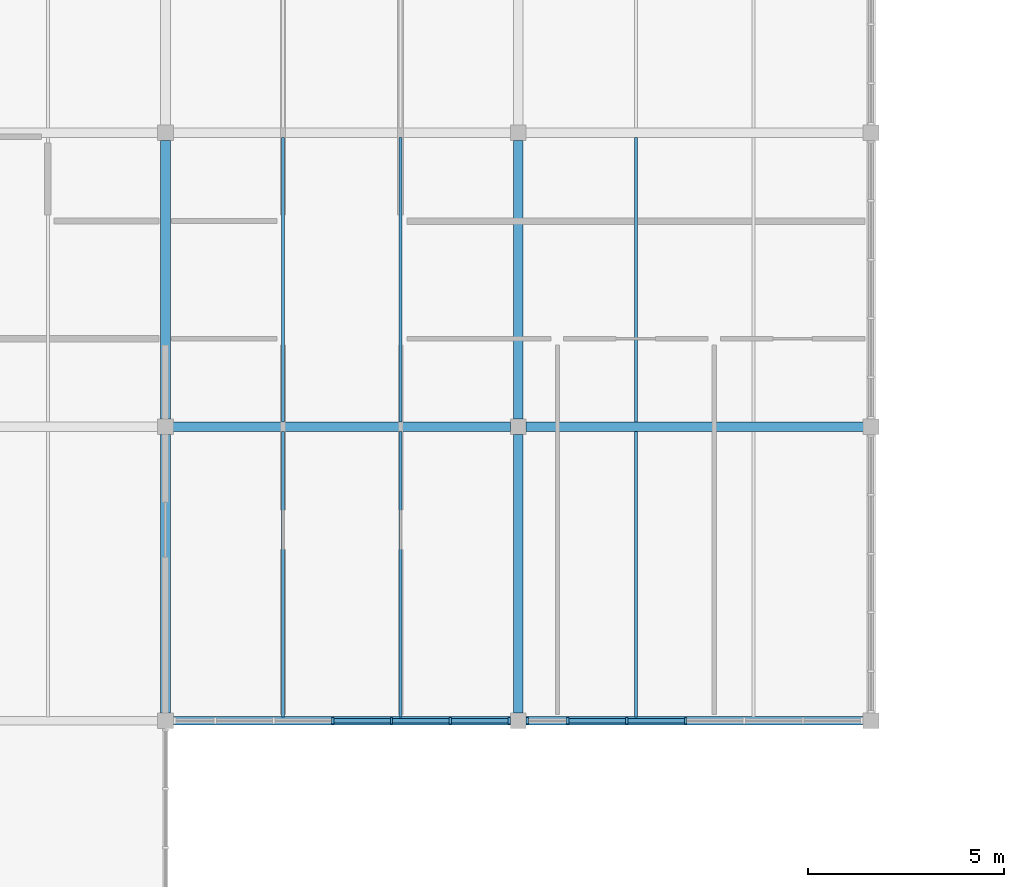
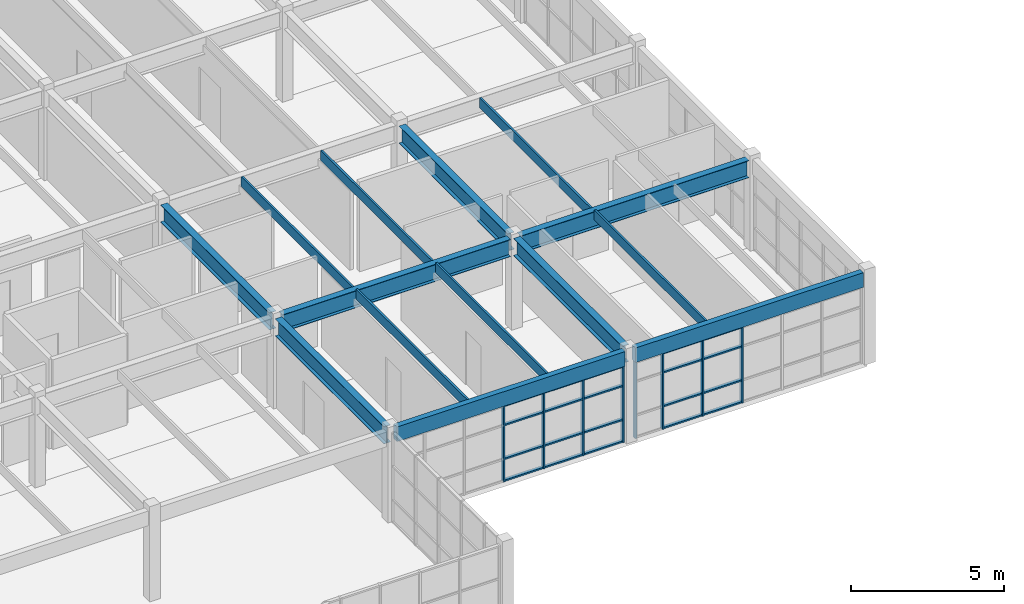
# One storey, part 26 of 81: 28 members, 14 beams, 2 elements without a shape of their own.
"""IFC4 building model written with IfcOpenShell, lengths in metres."""

from ifc_helpers import new_model, si_unit, direction, frame, origin, origin_2d, place, context, subcontext, project, spatial, rectangle, i_section, extrude, material, layer, layer_set, material_profile, profile_set, type_object, element, aggregate, save


model = new_model("IFC4")

# Units and contexts
model_context = context("Model", 3, precision=1e-05, world=origin(), true_north=direction((0.0, 1.0)))
body_context = subcontext(model_context, "Body", "Model", "MODEL_VIEW")
ifc_project = project(units=[si_unit("LENGTHUNIT", "METRE"), si_unit("AREAUNIT", "SQUARE_METRE"), si_unit("VOLUMEUNIT", "CUBIC_METRE"), si_unit("PLANEANGLEUNIT", "RADIAN"), si_unit("MASSUNIT", "GRAM", prefix="KILO")], contexts=[model_context])

# Site, building, storey
site_placement = place(None, origin())
site = spatial("IfcSite", under=ifc_project, at=site_placement, CompositionType="ELEMENT")
building_placement = place(site_placement, origin())
building = spatial("IfcBuilding", under=site, at=building_placement, Name="Marnridge Secondary College", CompositionType="ELEMENT")
storey_placement = place(building_placement, frame((0.0, 0.0, 8.5)))
storey = spatial("IfcBuildingStorey", under=building, at=storey_placement, Name="L02", CompositionType="ELEMENT", Elevation=8.5)

# Beams
ifc_material_1 = material(Name="Glulam timber GL18", Category="wood")
ifc_material_profile_1 = material_profile(ifc_material_1, rectangle(XDim=0.215087890625, YDim=0.5849609375, at=origin_2d()), Name="GL18 215x585")
ifc_profile_set_1 = profile_set([ifc_material_profile_1], Name="Glulam timber GL18")
beam_type_1 = type_object("IfcBeamType", Name="BM-GL585-EXT", PredefinedType="SPANDREL", material=ifc_profile_set_1)
for number, where, z_axis, x_axis, name in (
    (1, (18.194091796875, 82.5, 3.347412109375), (1.0, 0.0, 0.0), (0.0, 1.0, 0.0), "Beam BS-L02-0902"),
    (2, (27.194091796875, 82.5, 3.347412109375), (1.0, 0.0, 0.0), (0.0, 1.0, 0.0), "Beam BS-L02-0904"),
):
    element("IfcBeam", number, at=place(storey_placement, frame(where, z_axis=z_axis, x_axis=x_axis)), inside=storey, type_object=beam_type_1, Name=name, PredefinedType="SPANDREL", context=body_context, shape_type="SweptSolid", body=[
        extrude(rectangle(XDim=0.215087890625, YDim=0.5849609375, at=origin_2d()), origin(), (0.0, 0.0, 1.0), 8.61181640625),
    ])
ifc_material_2 = material(Name="Engineered timber LVL E13.2", Category="wood")
ifc_material_profile_2 = material_profile(ifc_material_2, rectangle(XDim=0.074951171875, YDim=0.39990234375, at=origin_2d()), Name="LVL 75x400")
ifc_profile_set_2 = profile_set([ifc_material_profile_2], Name="Engineered timber LVL E13.2")
beam_type_2 = type_object("IfcBeamType", Name="BM-LVL400-INT", PredefinedType="JOIST", material=ifc_profile_set_2)
for number, where, z_axis, x_axis, name in (
    (3, (21.0, 90.118896484375, 3.3798828125), (0.0, 1.0, 0.0), (-1.0, 0.0, 0.0), "Beam BJ-L02-0919"),
    (4, (24.0, 90.118896484375, 3.3798828125), (0.0, 1.0, 0.0), (-1.0, 0.0, 0.0), "Beam BJ-L02-0920"),
    (5, (30.0, 90.118896484375, 3.3798828125), (0.0, 1.0, 0.0), (-1.0, 0.0, 0.0), "Beam BJ-L02-0927"),
):
    element("IfcBeam", number, at=place(storey_placement, frame(where, z_axis=z_axis, x_axis=x_axis)), inside=storey, type_object=beam_type_2, Name=name, PredefinedType="JOIST", context=body_context, shape_type="SweptSolid", body=[
        extrude(rectangle(XDim=0.074951171875, YDim=0.39990234375, at=origin_2d()), origin(), (0.0, 0.0, 1.0), 7.26220703125),
    ])
for number, where, z_axis, x_axis, name in (
    (6, (21.0, 82.6015625, 3.43994140625), (0.0, 1.0, 0.0), (-1.0, 0.0, 0.0), "Beam BJ-L02-0937"),
    (7, (24.0, 82.6015625, 3.43994140625), (0.0, 1.0, 0.0), (-1.0, 0.0, 0.0), "Beam BJ-L02-0938"),
    (8, (30.0, 82.6015625, 3.43994140625), (0.0, 1.0, 0.0), (-1.0, 0.0, 0.0), "Beam BJ-L02-0939"),
):
    element("IfcBeam", number, at=place(storey_placement, frame(where, z_axis=z_axis, x_axis=x_axis)), inside=storey, type_object=beam_type_2, Name=name, PredefinedType="JOIST", context=body_context, shape_type="SweptSolid", body=[
        extrude(rectangle(XDim=0.074951171875, YDim=0.39990234375, at=origin_2d()), origin(), (0.0, 0.0, 1.0), 7.279541015625),
    ])
ifc_material_3 = material(Name="Structural steel Grade 350 (AS/NZS 3679.1/.2, fy = 340-360 MPa)", Category="steel")
ifc_material_profile_3 = material_profile(ifc_material_3, i_section(OverallWidth=0.25, OverallDepth=0.69189453125, WebThickness=0.009033203125, FlangeThickness=0.01611328125, at=origin_2d()), Name="700WB115")
ifc_profile_set_3 = profile_set([ifc_material_profile_3], Name="Structural steel Grade 350 (AS/NZS 3679.1/.2, fy = 340-360 MPa)")
beam_type_3 = type_object("IfcBeamType", Name="BM-WB700-INT", PredefinedType="BEAM", material=ifc_profile_set_3)
beam_1_placement = place(storey_placement, frame((18.0, 90.194091796875, 3.23388671875), z_axis=(0.0, 1.0, 0.0), x_axis=(-1.0, 0.0, 0.0)))
element("IfcBeam", 9, at=beam_1_placement, inside=storey, type_object=beam_type_3, Name="Beam B-L02-0872", PredefinedType="BEAM", context=body_context, shape_type="SweptSolid", body=[
    extrude(i_section(OverallWidth=0.25, OverallDepth=0.69189453125, WebThickness=0.009033203125, FlangeThickness=0.01611328125, at=origin_2d()), origin(), (0.0, 0.0, 1.0), 7.11181640625),
])
beam_2_placement = place(storey_placement, frame((18.194091796875, 90.0, 3.23388671875), z_axis=(1.0, 0.0, 0.0), x_axis=(0.0, 1.0, 0.0)))
element("IfcBeam", 10, at=beam_2_placement, inside=storey, type_object=beam_type_3, Name="Beam B-L02-0879", PredefinedType="BEAM", context=body_context, shape_type="SweptSolid", body=[
    extrude(i_section(OverallWidth=0.25, OverallDepth=0.69189453125, WebThickness=0.009033203125, FlangeThickness=0.01611328125, at=origin_2d()), origin(), (0.0, 0.0, 1.0), 8.61181640625),
])
beam_3_placement = place(storey_placement, frame((27.0, 90.194091796875, 3.23388671875), z_axis=(0.0, 1.0, 0.0), x_axis=(-1.0, 0.0, 0.0)))
element("IfcBeam", 11, at=beam_3_placement, inside=storey, type_object=beam_type_3, Name="Beam B-L02-0881", PredefinedType="BEAM", context=body_context, shape_type="SweptSolid", body=[
    extrude(i_section(OverallWidth=0.25, OverallDepth=0.69189453125, WebThickness=0.009033203125, FlangeThickness=0.01611328125, at=origin_2d()), origin(), (0.0, 0.0, 1.0), 7.11181640625),
])
beam_4_placement = place(storey_placement, frame((27.194091796875, 90.0, 3.23388671875), z_axis=(1.0, 0.0, 0.0), x_axis=(0.0, 1.0, 0.0)))
element("IfcBeam", 12, at=beam_4_placement, inside=storey, type_object=beam_type_3, Name="Beam B-L02-0888", PredefinedType="BEAM", context=body_context, shape_type="SweptSolid", body=[
    extrude(i_section(OverallWidth=0.25, OverallDepth=0.69189453125, WebThickness=0.009033203125, FlangeThickness=0.01611328125, at=origin_2d()), origin(), (0.0, 0.0, 1.0), 8.61181640625),
])
for number, where, z_axis, x_axis, name in (
    (13, (18.0, 82.694091796875, 3.23388671875), (0.0, 1.0, 0.0), (-1.0, 0.0, 0.0), "Beam B-L02-0901"),
    (14, (27.0, 82.694091796875, 3.2939453125), (0.0, 1.0, 0.0), (-1.0, 0.0, 0.0), "Beam B-L02-0903"),
):
    element("IfcBeam", number, at=place(storey_placement, frame(where, z_axis=z_axis, x_axis=x_axis)), inside=storey, type_object=beam_type_3, Name=name, PredefinedType="BEAM", context=body_context, shape_type="SweptSolid", body=[
        extrude(i_section(OverallWidth=0.25, OverallDepth=0.69189453125, WebThickness=0.009033203125, FlangeThickness=0.01611328125, at=origin_2d()), origin(), (0.0, 0.0, 1.0), 7.11181640625),
    ])

# Curtain wall, members
ifc_material_4 = material(Name="Thermally broken aluminium and low-E glazing", Category="aluminium")
ifc_layer = layer(ifc_material_4, 0.159912109375)
ifc_layer_set = layer_set([ifc_layer], Name="CW-MOD-1500")
curtain_wall_type = type_object("IfcCurtainWallType", Name="CW-MOD-1500", PredefinedType="NOTDEFINED", material=ifc_layer_set)
curtain_wall_1_placement = place(storey_placement, origin())
curtain_wall_1 = element("IfcCurtainWall", 15, at=curtain_wall_1_placement, inside=storey, type_object=curtain_wall_type, Name="Unitised curtain wall CW-L02-092", PredefinedType="NOTDEFINED")
ifc_material_5 = material(Name="Anodised aluminium 6063-T6", Category="aluminium")
ifc_material_profile_4 = material_profile(ifc_material_5, rectangle(XDim=0.06005859375, YDim=0.159912109375, at=origin_2d()), Name="ALU 60x160")
ifc_profile_set_4 = profile_set([ifc_material_profile_4], Name="Anodised aluminium 6063-T6")
member_type_1 = type_object("IfcMemberType", Name="CWM-ALU160", PredefinedType="MULLION", material=ifc_profile_set_4)
member_1_placement = place(storey_placement, frame((31.26611328125, 82.5, 0.0), z_axis=(0.0, 0.0, 1.0), x_axis=(-1.0, 0.0, 0.0)))
member_1 = element("IfcMember", 16, at=member_1_placement, type_object=member_type_1, Name="CW-L02-092 mullion 4", PredefinedType="MULLION", context=body_context, shape_type="SweptSolid", body=[
    extrude(rectangle(XDim=0.06005859375, YDim=0.159912109375, at=origin_2d()), origin(), (0.0, 0.0, 1.0), 3.047119140625),
])
member_2_placement = place(storey_placement, frame((29.76611328125, 82.5, 0.0), z_axis=(0.0, 0.0, 1.0), x_axis=(-1.0, 0.0, 0.0)))
member_2 = element("IfcMember", 17, at=member_2_placement, type_object=member_type_1, Name="CW-L02-092 mullion 5", PredefinedType="MULLION", context=body_context, shape_type="SweptSolid", body=[
    extrude(rectangle(XDim=0.06005859375, YDim=0.159912109375, at=origin_2d()), origin(), (0.0, 0.0, 1.0), 3.047119140625),
])
member_3_placement = place(storey_placement, frame((28.26611328125, 82.5, 0.0), z_axis=(0.0, 0.0, 1.0), x_axis=(-1.0, 0.0, 0.0)))
member_3 = element("IfcMember", 18, at=member_3_placement, type_object=member_type_1, Name="CW-L02-092 mullion 6", PredefinedType="MULLION", context=body_context, shape_type="SweptSolid", body=[
    extrude(rectangle(XDim=0.06005859375, YDim=0.159912109375, at=origin_2d()), origin(), (0.0, 0.0, 1.0), 3.047119140625),
])
member_4_placement = place(storey_placement, frame((27.23388671875, 82.5, 0.0), z_axis=(0.0, 0.0, 1.0), x_axis=(-1.0, 0.0, 0.0)))
member_4 = element("IfcMember", 19, at=member_4_placement, type_object=member_type_1, Name="CW-L02-092 mullion 7", PredefinedType="MULLION", context=body_context, shape_type="SweptSolid", body=[
    extrude(rectangle(XDim=0.06005859375, YDim=0.159912109375, at=origin_2d()), origin(), (0.0, 0.0, 1.0), 3.047119140625),
])

curtain_wall_2_placement = place(storey_placement, origin())
curtain_wall_2 = element("IfcCurtainWall", 20, at=curtain_wall_2_placement, inside=storey, type_object=curtain_wall_type, Name="Unitised curtain wall CW-L02-093", PredefinedType="NOTDEFINED")
member_5_placement = place(storey_placement, frame((26.76611328125, 82.5, 0.0), z_axis=(0.0, 0.0, 1.0), x_axis=(-1.0, 0.0, 0.0)))
member_5 = element("IfcMember", 21, at=member_5_placement, type_object=member_type_1, Name="CW-L02-093 mullion 1", PredefinedType="MULLION", context=body_context, shape_type="SweptSolid", body=[
    extrude(rectangle(XDim=0.06005859375, YDim=0.159912109375, at=origin_2d()), origin(), (0.0, 0.0, 1.0), 3.047119140625),
])
member_6_placement = place(storey_placement, frame((25.26611328125, 82.5, 0.0), z_axis=(0.0, 0.0, 1.0), x_axis=(-1.0, 0.0, 0.0)))
member_6 = element("IfcMember", 22, at=member_6_placement, type_object=member_type_1, Name="CW-L02-093 mullion 2", PredefinedType="MULLION", context=body_context, shape_type="SweptSolid", body=[
    extrude(rectangle(XDim=0.06005859375, YDim=0.159912109375, at=origin_2d()), origin(), (0.0, 0.0, 1.0), 3.047119140625),
])
member_7_placement = place(storey_placement, frame((23.76611328125, 82.5, 0.0), z_axis=(0.0, 0.0, 1.0), x_axis=(-1.0, 0.0, 0.0)))
member_7 = element("IfcMember", 23, at=member_7_placement, type_object=member_type_1, Name="CW-L02-093 mullion 3", PredefinedType="MULLION", context=body_context, shape_type="SweptSolid", body=[
    extrude(rectangle(XDim=0.06005859375, YDim=0.159912109375, at=origin_2d()), origin(), (0.0, 0.0, 1.0), 3.047119140625),
])
member_8_placement = place(storey_placement, frame((22.26611328125, 82.5, 0.0), z_axis=(0.0, 0.0, 1.0), x_axis=(-1.0, 0.0, 0.0)))
member_8 = element("IfcMember", 24, at=member_8_placement, type_object=member_type_1, Name="CW-L02-093 mullion 4", PredefinedType="MULLION", context=body_context, shape_type="SweptSolid", body=[
    extrude(rectangle(XDim=0.06005859375, YDim=0.159912109375, at=origin_2d()), origin(), (0.0, 0.0, 1.0), 3.047119140625),
])

# Member
ifc_material_6 = material(Name="Anodised aluminium 6063-T6", Category="aluminium")
ifc_material_profile_5 = material_profile(ifc_material_6, rectangle(XDim=0.06005859375, YDim=0.1201171875, at=origin_2d()), Name="ALU 60x120")
ifc_profile_set_5 = profile_set([ifc_material_profile_5], Name="Anodised aluminium 6063-T6")
member_type_2 = type_object("IfcMemberType", Name="CWT-ALU120", PredefinedType="USERDEFINED", material=ifc_profile_set_5)
member_9_placement = place(storey_placement, frame((31.236083984375, 82.5, 0.030029296875), z_axis=(-1.0, 0.0, 0.0), x_axis=(0.0, 0.0, 1.0)))
member_9 = element("IfcMember", 25, at=member_9_placement, type_object=member_type_2, Name="CW-L02-092 transom 4.1", ObjectType="TRANSOM", PredefinedType="USERDEFINED", context=body_context, shape_type="SweptSolid", body=[
    extrude(rectangle(XDim=0.06005859375, YDim=0.1201171875, at=origin_2d()), origin(), (0.0, 0.0, 1.0), 1.440185546875),
])

member_10_placement = place(storey_placement, frame((31.236083984375, 82.5, 0.89990234375), z_axis=(-1.0, 0.0, 0.0), x_axis=(0.0, 0.0, 1.0)))
member_10 = element("IfcMember", 26, at=member_10_placement, type_object=member_type_2, Name="CW-L02-092 transom 4.2", ObjectType="TRANSOM", PredefinedType="USERDEFINED", context=body_context, shape_type="SweptSolid", body=[
    extrude(rectangle(XDim=0.06005859375, YDim=0.1201171875, at=origin_2d()), origin(), (0.0, 0.0, 1.0), 1.440185546875),
])

member_11_placement = place(storey_placement, frame((31.236083984375, 82.5, 2.25), z_axis=(-1.0, 0.0, 0.0), x_axis=(0.0, 0.0, 1.0)))
member_11 = element("IfcMember", 27, at=member_11_placement, type_object=member_type_2, Name="CW-L02-092 transom 4.3", ObjectType="TRANSOM", PredefinedType="USERDEFINED", context=body_context, shape_type="SweptSolid", body=[
    extrude(rectangle(XDim=0.06005859375, YDim=0.1201171875, at=origin_2d()), origin(), (0.0, 0.0, 1.0), 1.440185546875),
])

member_12_placement = place(storey_placement, frame((31.236083984375, 82.5, 3.01708984375), z_axis=(-1.0, 0.0, 0.0), x_axis=(0.0, 0.0, 1.0)))
member_12 = element("IfcMember", 28, at=member_12_placement, type_object=member_type_2, Name="CW-L02-092 transom 4.4", ObjectType="TRANSOM", PredefinedType="USERDEFINED", context=body_context, shape_type="SweptSolid", body=[
    extrude(rectangle(XDim=0.06005859375, YDim=0.1201171875, at=origin_2d()), origin(), (0.0, 0.0, 1.0), 1.440185546875),
])

member_13_placement = place(storey_placement, frame((29.736083984375, 82.5, 0.030029296875), z_axis=(-1.0, 0.0, 0.0), x_axis=(0.0, 0.0, 1.0)))
member_13 = element("IfcMember", 29, at=member_13_placement, type_object=member_type_2, Name="CW-L02-092 transom 5.1", ObjectType="TRANSOM", PredefinedType="USERDEFINED", context=body_context, shape_type="SweptSolid", body=[
    extrude(rectangle(XDim=0.06005859375, YDim=0.1201171875, at=origin_2d()), origin(), (0.0, 0.0, 1.0), 1.440185546875),
])

member_14_placement = place(storey_placement, frame((29.736083984375, 82.5, 0.89990234375), z_axis=(-1.0, 0.0, 0.0), x_axis=(0.0, 0.0, 1.0)))
member_14 = element("IfcMember", 30, at=member_14_placement, type_object=member_type_2, Name="CW-L02-092 transom 5.2", ObjectType="TRANSOM", PredefinedType="USERDEFINED", context=body_context, shape_type="SweptSolid", body=[
    extrude(rectangle(XDim=0.06005859375, YDim=0.1201171875, at=origin_2d()), origin(), (0.0, 0.0, 1.0), 1.440185546875),
])

member_15_placement = place(storey_placement, frame((29.736083984375, 82.5, 2.25), z_axis=(-1.0, 0.0, 0.0), x_axis=(0.0, 0.0, 1.0)))
member_15 = element("IfcMember", 31, at=member_15_placement, type_object=member_type_2, Name="CW-L02-092 transom 5.3", ObjectType="TRANSOM", PredefinedType="USERDEFINED", context=body_context, shape_type="SweptSolid", body=[
    extrude(rectangle(XDim=0.06005859375, YDim=0.1201171875, at=origin_2d()), origin(), (0.0, 0.0, 1.0), 1.440185546875),
])

member_16_placement = place(storey_placement, frame((29.736083984375, 82.5, 3.01708984375), z_axis=(-1.0, 0.0, 0.0), x_axis=(0.0, 0.0, 1.0)))
member_16 = element("IfcMember", 32, at=member_16_placement, type_object=member_type_2, Name="CW-L02-092 transom 5.4", ObjectType="TRANSOM", PredefinedType="USERDEFINED", context=body_context, shape_type="SweptSolid", body=[
    extrude(rectangle(XDim=0.06005859375, YDim=0.1201171875, at=origin_2d()), origin(), (0.0, 0.0, 1.0), 1.440185546875),
])

aggregate(curtain_wall_1, [member_1, member_2, member_3, member_4, member_9, member_10, member_11, member_12, member_13, member_14, member_15, member_16])

member_17_placement = place(storey_placement, frame((26.736083984375, 82.5, 0.030029296875), z_axis=(-1.0, 0.0, 0.0), x_axis=(0.0, 0.0, 1.0)))
member_17 = element("IfcMember", 33, at=member_17_placement, type_object=member_type_2, Name="CW-L02-093 transom 1.1", ObjectType="TRANSOM", PredefinedType="USERDEFINED", context=body_context, shape_type="SweptSolid", body=[
    extrude(rectangle(XDim=0.06005859375, YDim=0.1201171875, at=origin_2d()), origin(), (0.0, 0.0, 1.0), 1.440185546875),
])

member_18_placement = place(storey_placement, frame((26.736083984375, 82.5, 0.89990234375), z_axis=(-1.0, 0.0, 0.0), x_axis=(0.0, 0.0, 1.0)))
member_18 = element("IfcMember", 34, at=member_18_placement, type_object=member_type_2, Name="CW-L02-093 transom 1.2", ObjectType="TRANSOM", PredefinedType="USERDEFINED", context=body_context, shape_type="SweptSolid", body=[
    extrude(rectangle(XDim=0.06005859375, YDim=0.1201171875, at=origin_2d()), origin(), (0.0, 0.0, 1.0), 1.440185546875),
])

member_19_placement = place(storey_placement, frame((26.736083984375, 82.5, 2.25), z_axis=(-1.0, 0.0, 0.0), x_axis=(0.0, 0.0, 1.0)))
member_19 = element("IfcMember", 35, at=member_19_placement, type_object=member_type_2, Name="CW-L02-093 transom 1.3", ObjectType="TRANSOM", PredefinedType="USERDEFINED", context=body_context, shape_type="SweptSolid", body=[
    extrude(rectangle(XDim=0.06005859375, YDim=0.1201171875, at=origin_2d()), origin(), (0.0, 0.0, 1.0), 1.440185546875),
])

member_20_placement = place(storey_placement, frame((26.736083984375, 82.5, 3.01708984375), z_axis=(-1.0, 0.0, 0.0), x_axis=(0.0, 0.0, 1.0)))
member_20 = element("IfcMember", 36, at=member_20_placement, type_object=member_type_2, Name="CW-L02-093 transom 1.4", ObjectType="TRANSOM", PredefinedType="USERDEFINED", context=body_context, shape_type="SweptSolid", body=[
    extrude(rectangle(XDim=0.06005859375, YDim=0.1201171875, at=origin_2d()), origin(), (0.0, 0.0, 1.0), 1.440185546875),
])

member_21_placement = place(storey_placement, frame((25.236083984375, 82.5, 0.030029296875), z_axis=(-1.0, 0.0, 0.0), x_axis=(0.0, 0.0, 1.0)))
member_21 = element("IfcMember", 37, at=member_21_placement, type_object=member_type_2, Name="CW-L02-093 transom 2.1", ObjectType="TRANSOM", PredefinedType="USERDEFINED", context=body_context, shape_type="SweptSolid", body=[
    extrude(rectangle(XDim=0.06005859375, YDim=0.1201171875, at=origin_2d()), origin(), (0.0, 0.0, 1.0), 1.440185546875),
])

member_22_placement = place(storey_placement, frame((25.236083984375, 82.5, 0.89990234375), z_axis=(-1.0, 0.0, 0.0), x_axis=(0.0, 0.0, 1.0)))
member_22 = element("IfcMember", 38, at=member_22_placement, type_object=member_type_2, Name="CW-L02-093 transom 2.2", ObjectType="TRANSOM", PredefinedType="USERDEFINED", context=body_context, shape_type="SweptSolid", body=[
    extrude(rectangle(XDim=0.06005859375, YDim=0.1201171875, at=origin_2d()), origin(), (0.0, 0.0, 1.0), 1.440185546875),
])

member_23_placement = place(storey_placement, frame((25.236083984375, 82.5, 2.25), z_axis=(-1.0, 0.0, 0.0), x_axis=(0.0, 0.0, 1.0)))
member_23 = element("IfcMember", 39, at=member_23_placement, type_object=member_type_2, Name="CW-L02-093 transom 2.3", ObjectType="TRANSOM", PredefinedType="USERDEFINED", context=body_context, shape_type="SweptSolid", body=[
    extrude(rectangle(XDim=0.06005859375, YDim=0.1201171875, at=origin_2d()), origin(), (0.0, 0.0, 1.0), 1.440185546875),
])

member_24_placement = place(storey_placement, frame((25.236083984375, 82.5, 3.01708984375), z_axis=(-1.0, 0.0, 0.0), x_axis=(0.0, 0.0, 1.0)))
member_24 = element("IfcMember", 40, at=member_24_placement, type_object=member_type_2, Name="CW-L02-093 transom 2.4", ObjectType="TRANSOM", PredefinedType="USERDEFINED", context=body_context, shape_type="SweptSolid", body=[
    extrude(rectangle(XDim=0.06005859375, YDim=0.1201171875, at=origin_2d()), origin(), (0.0, 0.0, 1.0), 1.440185546875),
])

member_25_placement = place(storey_placement, frame((23.736083984375, 82.5, 0.030029296875), z_axis=(-1.0, 0.0, 0.0), x_axis=(0.0, 0.0, 1.0)))
member_25 = element("IfcMember", 41, at=member_25_placement, type_object=member_type_2, Name="CW-L02-093 transom 3.1", ObjectType="TRANSOM", PredefinedType="USERDEFINED", context=body_context, shape_type="SweptSolid", body=[
    extrude(rectangle(XDim=0.06005859375, YDim=0.1201171875, at=origin_2d()), origin(), (0.0, 0.0, 1.0), 1.440185546875),
])

member_26_placement = place(storey_placement, frame((23.736083984375, 82.5, 0.89990234375), z_axis=(-1.0, 0.0, 0.0), x_axis=(0.0, 0.0, 1.0)))
member_26 = element("IfcMember", 42, at=member_26_placement, type_object=member_type_2, Name="CW-L02-093 transom 3.2", ObjectType="TRANSOM", PredefinedType="USERDEFINED", context=body_context, shape_type="SweptSolid", body=[
    extrude(rectangle(XDim=0.06005859375, YDim=0.1201171875, at=origin_2d()), origin(), (0.0, 0.0, 1.0), 1.440185546875),
])

member_27_placement = place(storey_placement, frame((23.736083984375, 82.5, 2.25), z_axis=(-1.0, 0.0, 0.0), x_axis=(0.0, 0.0, 1.0)))
member_27 = element("IfcMember", 43, at=member_27_placement, type_object=member_type_2, Name="CW-L02-093 transom 3.3", ObjectType="TRANSOM", PredefinedType="USERDEFINED", context=body_context, shape_type="SweptSolid", body=[
    extrude(rectangle(XDim=0.06005859375, YDim=0.1201171875, at=origin_2d()), origin(), (0.0, 0.0, 1.0), 1.440185546875),
])

member_28_placement = place(storey_placement, frame((23.736083984375, 82.5, 3.01708984375), z_axis=(-1.0, 0.0, 0.0), x_axis=(0.0, 0.0, 1.0)))
member_28 = element("IfcMember", 44, at=member_28_placement, type_object=member_type_2, Name="CW-L02-093 transom 3.4", ObjectType="TRANSOM", PredefinedType="USERDEFINED", context=body_context, shape_type="SweptSolid", body=[
    extrude(rectangle(XDim=0.06005859375, YDim=0.1201171875, at=origin_2d()), origin(), (0.0, 0.0, 1.0), 1.440185546875),
])

aggregate(curtain_wall_2, [member_5, member_6, member_7, member_8, member_17, member_18, member_19, member_20, member_21, member_22, member_23, member_24, member_25, member_26, member_27, member_28])

save(model, "model.ifc")
